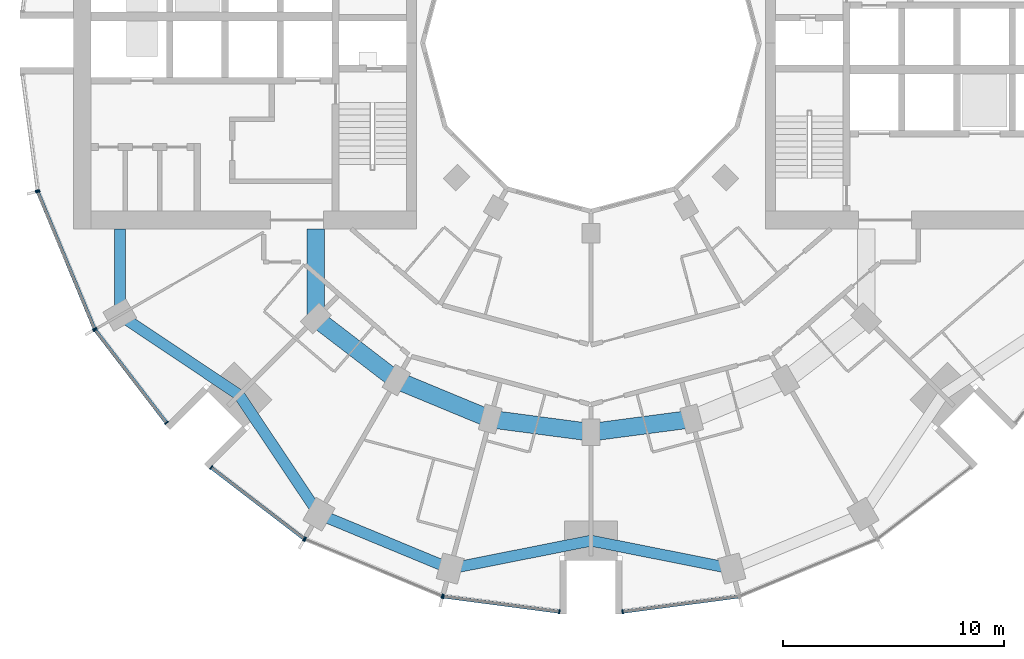
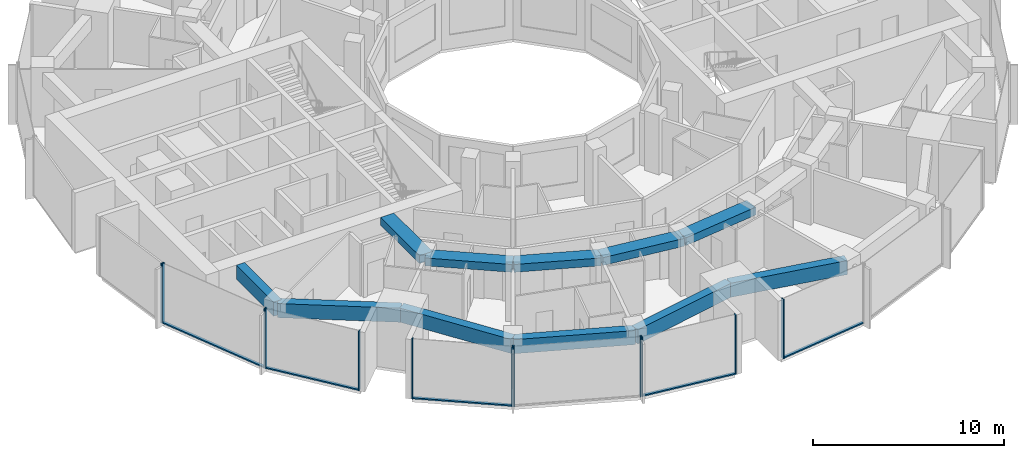
# One storey, part 2 of 15: 17 members, 11 beams, 7 elements without a shape of their own.
"""IFC4 building model written with IfcOpenShell, lengths in metres."""

from ifc_helpers import new_model, si_unit, direction, frame, origin, origin_2d, place, context, subcontext, project, spatial, rectangle, extrude, material, layer, layer_set, material_profile, profile_set, type_object, element, aggregate, save


model = new_model("IFC4")

# Units and contexts
model_context = context("Model", 3, precision=1e-05, world=origin(), true_north=direction((0.0, 1.0)))
body_context = subcontext(model_context, "Body", "Model", "MODEL_VIEW")
ifc_project = project(units=[si_unit("LENGTHUNIT", "METRE"), si_unit("AREAUNIT", "SQUARE_METRE"), si_unit("VOLUMEUNIT", "CUBIC_METRE"), si_unit("PLANEANGLEUNIT", "RADIAN"), si_unit("MASSUNIT", "GRAM", prefix="KILO")], contexts=[model_context])

# Site, building, storey
site_placement = place(None, origin())
site = spatial("IfcSite", under=ifc_project, at=site_placement, CompositionType="ELEMENT")
building_placement = place(site_placement, origin())
building = spatial("IfcBuilding", under=site, at=building_placement, Name="Torre Brocal", CompositionType="ELEMENT")
storey_placement = place(building_placement, frame((0.0, 0.0, 55.39990234375)))
storey = spatial("IfcBuildingStorey", under=building, at=storey_placement, Name="L12", CompositionType="ELEMENT", Elevation=55.39990234375)

# Curtain wall, members
ifc_material_1 = material(Name="Aluminium and glass", Category="aluminium")
ifc_layer_1 = layer(ifc_material_1, 0.199951171875)
ifc_layer_set_1 = layer_set([ifc_layer_1], Name="Aluminium and glass")
curtain_wall_type_1 = type_object("IfcCurtainWallType", Name="CW-1 CURTAIN WALL 3800 HIGH", PredefinedType="NOTDEFINED", material=ifc_layer_set_1)
curtain_wall_1_placement = place(storey_placement, origin())
curtain_wall_1 = element("IfcCurtainWall", 1, at=curtain_wall_1_placement, inside=storey, type_object=curtain_wall_type_1, Name="CW-1 RUN 14", PredefinedType="NOTDEFINED")
ifc_material_2 = material(Name="Aluminium, dark anodised", Category="aluminium")
ifc_material_profile_1 = material_profile(ifc_material_2, rectangle(XDim=0.199951171875, YDim=0.06005859375, at=origin_2d()), Name="CW-1 MULLION 60X200")
ifc_profile_set_1 = profile_set([ifc_material_profile_1], Name="Aluminium, dark anodised")
member_type_1 = type_object("IfcMemberType", Name="CW-1 MULLION 60X200", PredefinedType="MULLION", material=ifc_profile_set_1)
member_1_placement = place(storey_placement, frame((54.994873046875, 68.26904296875, 0.0), z_axis=(0.0, 0.0, 1.0), x_axis=(0.923879532525, 0.382683432333, 0.0)))
member_1 = element("IfcMember", 2, at=member_1_placement, type_object=member_type_1, Name="CW1-1 mullion 1", PredefinedType="MULLION", context=body_context, shape_type="SweptSolid", body=[
    extrude(rectangle(XDim=0.199951171875, YDim=0.06005859375, at=origin_2d()), origin(), (0.0, 0.0, 1.0), 3.800048828125),
])
member_2_placement = place(storey_placement, frame((57.559326171875, 62.078125, 0.0), z_axis=(0.0, 0.0, 1.0), x_axis=(0.923879532525, 0.382683432333, 0.0)))
member_2 = element("IfcMember", 3, at=member_2_placement, type_object=member_type_1, Name="CW1-1 mullion 2", PredefinedType="MULLION", context=body_context, shape_type="SweptSolid", body=[
    extrude(rectangle(XDim=0.199951171875, YDim=0.06005859375, at=origin_2d()), origin(), (0.0, 0.0, 1.0), 3.800048828125),
])

curtain_wall_2_placement = place(storey_placement, origin())
curtain_wall_2 = element("IfcCurtainWall", 4, at=curtain_wall_2_placement, inside=storey, type_object=curtain_wall_type_1, Name="CW-1 RUN 15", PredefinedType="NOTDEFINED")
member_3_placement = place(storey_placement, frame((57.5888671875, 62.026611328125, 0.0), z_axis=(0.0, 0.0, 1.0), x_axis=(0.793353340259, 0.60876142905, 0.0)))
member_3 = element("IfcMember", 5, at=member_3_placement, type_object=member_type_1, Name="CW1-1 mullion 1", PredefinedType="MULLION", context=body_context, shape_type="SweptSolid", body=[
    extrude(rectangle(XDim=0.199951171875, YDim=0.06005859375, at=origin_2d()), origin(), (0.0, 0.0, 1.0), 3.800048828125),
])
member_4_placement = place(storey_placement, frame((60.80859375, 57.83056640625, 0.0), z_axis=(0.0, 0.0, 1.0), x_axis=(0.793353340259, 0.60876142905, 0.0)))
member_4 = element("IfcMember", 6, at=member_4_placement, type_object=member_type_1, Name="CW1-1 mullion 2", PredefinedType="MULLION", context=body_context, shape_type="SweptSolid", body=[
    extrude(rectangle(XDim=0.199951171875, YDim=0.06005859375, at=origin_2d()), origin(), (0.0, 0.0, 1.0), 3.800048828125),
])

curtain_wall_3_placement = place(storey_placement, origin())
curtain_wall_3 = element("IfcCurtainWall", 7, at=curtain_wall_3_placement, inside=storey, type_object=curtain_wall_type_1, Name="CW-1 RUN 16", PredefinedType="NOTDEFINED")
member_5_placement = place(storey_placement, frame((62.83056640625, 55.80859375, 0.0), z_axis=(0.0, 0.0, 1.0), x_axis=(0.60876142905, 0.793353340259, 0.0)))
member_5 = element("IfcMember", 8, at=member_5_placement, type_object=member_type_1, Name="CW1-1 mullion 1", PredefinedType="MULLION", context=body_context, shape_type="SweptSolid", body=[
    extrude(rectangle(XDim=0.199951171875, YDim=0.06005859375, at=origin_2d()), origin(), (0.0, 0.0, 1.0), 3.800048828125),
])
member_6_placement = place(storey_placement, frame((67.026611328125, 52.5888671875, 0.0), z_axis=(0.0, 0.0, 1.0), x_axis=(0.60876142905, 0.793353340259, 0.0)))
member_6 = element("IfcMember", 9, at=member_6_placement, type_object=member_type_1, Name="CW1-1 mullion 2", PredefinedType="MULLION", context=body_context, shape_type="SweptSolid", body=[
    extrude(rectangle(XDim=0.199951171875, YDim=0.06005859375, at=origin_2d()), origin(), (0.0, 0.0, 1.0), 3.800048828125),
])

curtain_wall_4_placement = place(storey_placement, origin())
curtain_wall_4 = element("IfcCurtainWall", 10, at=curtain_wall_4_placement, inside=storey, type_object=curtain_wall_type_1, Name="CW-1 RUN 17", PredefinedType="NOTDEFINED")
member_7_placement = place(storey_placement, frame((67.078125, 52.559326171875, 0.0), z_axis=(0.0, 0.0, 1.0), x_axis=(0.382683432333, 0.923879532525, 0.0)))
member_7 = element("IfcMember", 11, at=member_7_placement, type_object=member_type_1, Name="CW1-1 mullion 1", PredefinedType="MULLION", context=body_context, shape_type="SweptSolid", body=[
    extrude(rectangle(XDim=0.199951171875, YDim=0.06005859375, at=origin_2d()), origin(), (0.0, 0.0, 1.0), 3.800048828125),
])
member_8_placement = place(storey_placement, frame((73.26904296875, 49.994873046875, 0.0), z_axis=(0.0, 0.0, 1.0), x_axis=(0.382683432333, 0.923879532525, 0.0)))
member_8 = element("IfcMember", 12, at=member_8_placement, type_object=member_type_1, Name="CW1-1 mullion 2", PredefinedType="MULLION", context=body_context, shape_type="SweptSolid", body=[
    extrude(rectangle(XDim=0.199951171875, YDim=0.06005859375, at=origin_2d()), origin(), (0.0, 0.0, 1.0), 3.800048828125),
])
aggregate(curtain_wall_4, [member_7, member_8])

curtain_wall_5_placement = place(storey_placement, origin())
curtain_wall_5 = element("IfcCurtainWall", 13, at=curtain_wall_5_placement, inside=storey, type_object=curtain_wall_type_1, Name="CW-1 RUN 18", PredefinedType="NOTDEFINED")
member_9_placement = place(storey_placement, frame((73.32666015625, 49.9794921875, 0.0), z_axis=(0.0, 0.0, 1.0), x_axis=(0.13052619222, 0.991444861374, 0.0)))
member_9 = element("IfcMember", 14, at=member_9_placement, type_object=member_type_1, Name="CW1-1 mullion 1", PredefinedType="MULLION", context=body_context, shape_type="SweptSolid", body=[
    extrude(rectangle(XDim=0.199951171875, YDim=0.06005859375, at=origin_2d()), origin(), (0.0, 0.0, 1.0), 3.800048828125),
])
member_10_placement = place(storey_placement, frame((78.5703125, 49.2890625, 0.0), z_axis=(0.0, 0.0, 1.0), x_axis=(0.13052619222, 0.991444861374, 0.0)))
member_10 = element("IfcMember", 15, at=member_10_placement, type_object=member_type_1, Name="CW1-1 mullion 2", PredefinedType="MULLION", context=body_context, shape_type="SweptSolid", body=[
    extrude(rectangle(XDim=0.199951171875, YDim=0.06005859375, at=origin_2d()), origin(), (0.0, 0.0, 1.0), 3.800048828125),
])

# Curtain wall, member
curtain_wall_6_placement = place(storey_placement, origin())
curtain_wall_6 = element("IfcCurtainWall", 16, at=curtain_wall_6_placement, inside=storey, type_object=curtain_wall_type_1, Name="CW-1 RUN 19", PredefinedType="NOTDEFINED")
member_11_placement = place(storey_placement, frame((81.4296875, 49.2890625, 0.0), z_axis=(0.0, 0.0, 1.0), x_axis=(-0.13052619222, 0.991444861374, 0.0)))
member_11 = element("IfcMember", 17, at=member_11_placement, type_object=member_type_1, Name="CW1-1 mullion 1", PredefinedType="MULLION", context=body_context, shape_type="SweptSolid", body=[
    extrude(rectangle(XDim=0.199951171875, YDim=0.06005859375, at=origin_2d()), origin(), (0.0, 0.0, 1.0), 3.800048828125),
])

# Member
ifc_material_3 = material(Name="Aluminium, dark anodised", Category="aluminium")
ifc_material_profile_2 = material_profile(ifc_material_3, rectangle(XDim=0.159912109375, YDim=0.080078125, at=origin_2d()), Name="CW-1 TRANSOM 160X80")
ifc_profile_set_2 = profile_set([ifc_material_profile_2], Name="Aluminium, dark anodised")
member_type_2 = type_object("IfcMemberType", Name="CW-1 TRANSOM 160X80", PredefinedType="USERDEFINED", material=ifc_profile_set_2)
member_12_placement = place(storey_placement, frame((55.00634765625, 68.241455078125, 0.0400390625), z_axis=(0.38266457234, -0.923887344364, 0.0), x_axis=(0.923887344364, 0.38266457234, 0.0)))
member_12 = element("IfcMember", 18, at=member_12_placement, type_object=member_type_2, Name="CW1-1 transom 1.1", ObjectType="TRANSOM", PredefinedType="USERDEFINED", context=body_context, shape_type="SweptSolid", body=[
    extrude(rectangle(XDim=0.159912109375, YDim=0.080078125, at=origin_2d()), origin(), (0.0, 0.0, 1.0), 6.640869140625),
])

aggregate(curtain_wall_1, [member_1, member_2, member_12])

member_13_placement = place(storey_placement, frame((57.607177734375, 62.0029296875, 0.0400390625), z_axis=(0.60874908096, -0.79336281513, 0.0), x_axis=(0.79336281513, 0.60874908096, 0.0)))
member_13 = element("IfcMember", 19, at=member_13_placement, type_object=member_type_2, Name="CW1-1 transom 1.1", ObjectType="TRANSOM", PredefinedType="USERDEFINED", context=body_context, shape_type="SweptSolid", body=[
    extrude(rectangle(XDim=0.159912109375, YDim=0.080078125, at=origin_2d()), origin(), (0.0, 0.0, 1.0), 5.22900390625),
])

aggregate(curtain_wall_2, [member_3, member_4, member_13])

member_14_placement = place(storey_placement, frame((62.8544921875, 55.790283203125, 0.0400390625), z_axis=(0.79336281513, -0.60874908096, 0.0), x_axis=(0.60874908096, 0.79336281513, 0.0)))
member_14 = element("IfcMember", 20, at=member_14_placement, type_object=member_type_2, Name="CW1-1 transom 1.1", ObjectType="TRANSOM", PredefinedType="USERDEFINED", context=body_context, shape_type="SweptSolid", body=[
    extrude(rectangle(XDim=0.159912109375, YDim=0.080078125, at=origin_2d()), origin(), (0.0, 0.0, 1.0), 5.22900390625),
])

aggregate(curtain_wall_3, [member_5, member_6, member_14])

member_15_placement = place(storey_placement, frame((73.356201171875, 49.9755859375, 0.0400390625), z_axis=(0.991442690863, -0.130542677827, 0.0), x_axis=(0.130542677827, 0.991442690863, 0.0)))
member_15 = element("IfcMember", 21, at=member_15_placement, type_object=member_type_2, Name="CW1-1 transom 1.1", ObjectType="TRANSOM", PredefinedType="USERDEFINED", context=body_context, shape_type="SweptSolid", body=[
    extrude(rectangle(XDim=0.159912109375, YDim=0.080078125, at=origin_2d()), origin(), (0.0, 0.0, 1.0), 5.22900390625),
])

aggregate(curtain_wall_5, [member_9, member_10, member_15])

member_16_placement = place(storey_placement, frame((81.45947265625, 49.29296875, 0.0400390625), z_axis=(0.991442690863, 0.130542677827, 0.0), x_axis=(-0.130542677827, 0.991442690863, 0.0)))
member_16 = element("IfcMember", 22, at=member_16_placement, type_object=member_type_2, Name="CW1-1 transom 1.1", ObjectType="TRANSOM", PredefinedType="USERDEFINED", context=body_context, shape_type="SweptSolid", body=[
    extrude(rectangle(XDim=0.159912109375, YDim=0.080078125, at=origin_2d()), origin(), (0.0, 0.0, 1.0), 5.22900390625),
])

aggregate(curtain_wall_6, [member_11, member_16])

# Curtain wall, member
ifc_material_4 = material(Name="Aluminium and glass", Category="aluminium")
ifc_layer_2 = layer(ifc_material_4, 0.199951171875)
ifc_layer_set_2 = layer_set([ifc_layer_2], Name="Aluminium and glass")
curtain_wall_type_2 = type_object("IfcCurtainWallType", Name="CW-1B CURTAIN WALL 3800 HIGH", PredefinedType="NOTDEFINED", material=ifc_layer_set_2)
curtain_wall_7_placement = place(storey_placement, origin())
curtain_wall_7 = element("IfcCurtainWall", 23, at=curtain_wall_7_placement, inside=storey, type_object=curtain_wall_type_2, Name="CW-1B RUN 13", PredefinedType="NOTDEFINED")
ifc_material_5 = material(Name="Aluminium, dark anodised", Category="aluminium")
ifc_material_profile_3 = material_profile(ifc_material_5, rectangle(XDim=0.199951171875, YDim=0.06005859375, at=origin_2d()), Name="CW-1B MULLION 60X200")
ifc_profile_set_3 = profile_set([ifc_material_profile_3], Name="Aluminium, dark anodised")
member_type_3 = type_object("IfcMemberType", Name="CW-1B MULLION 60X200", PredefinedType="MULLION", material=ifc_profile_set_3)
member_17_placement = place(storey_placement, frame((54.9794921875, 68.32666015625, 0.0), z_axis=(0.0, 0.0, 1.0), x_axis=(0.991444861374, 0.13052619222, 0.0)))
member_17 = element("IfcMember", 24, at=member_17_placement, type_object=member_type_3, Name="CW1B-1 mullion 2", PredefinedType="MULLION", context=body_context, shape_type="SweptSolid", body=[
    extrude(rectangle(XDim=0.199951171875, YDim=0.06005859375, at=origin_2d()), origin(), (0.0, 0.0, 1.0), 3.800048828125),
])
aggregate(curtain_wall_7, [member_17])

# Beams
ifc_material_6 = material(Name="Concrete C50", Category="concrete")
ifc_material_profile_4 = material_profile(ifc_material_6, rectangle(XDim=0.800048828125, YDim=0.5, at=origin_2d()), Name="RC 800X500")
ifc_profile_set_4 = profile_set([ifc_material_profile_4], Name="Concrete C50")
beam_type_1 = type_object("IfcBeamType", Name="RC BEAM 800X500 C50 TOP 3480", PredefinedType="BEAM", material=ifc_profile_set_4)
beam_1_placement = place(storey_placement, frame((67.554931640625, 62.554931640625, 3.22998046875), z_axis=(0.0, 1.0, 0.0), x_axis=(-1.0, 0.0, 0.0)))
element("IfcBeam", 25, at=beam_1_placement, inside=storey, type_object=beam_type_1, Name="Beam BT-19", PredefinedType="BEAM", context=body_context, shape_type="SweptSolid", body=[
    extrude(rectangle(XDim=0.800048828125, YDim=0.5, at=origin_2d()), origin(), (0.0, 0.0, 1.0), 4.045166015625),
])
beam_2_placement = place(storey_placement, frame((67.554931640625, 62.554931640625, 3.22998046875), z_axis=(0.793358265959, -0.6087550097, 0.0), x_axis=(0.6087550097, 0.793358265959, 0.0)))
element("IfcBeam", 26, at=beam_2_placement, inside=storey, type_object=beam_type_1, Name="Beam BT-19", PredefinedType="BEAM", context=body_context, shape_type="SweptSolid", body=[
    extrude(rectangle(XDim=0.800048828125, YDim=0.5, at=origin_2d()), origin(), (0.0, 0.0, 1.0), 4.594482421875),
])
beam_3_placement = place(storey_placement, frame((71.199951171875, 59.758056640625, 3.22998046875), z_axis=(0.923878240166, -0.382686552348, 0.0), x_axis=(0.382686552348, 0.923878240166, 0.0)))
element("IfcBeam", 27, at=beam_3_placement, inside=storey, type_object=beam_type_1, Name="Beam BT-19", PredefinedType="BEAM", context=body_context, shape_type="SweptSolid", body=[
    extrude(rectangle(XDim=0.800048828125, YDim=0.5, at=origin_2d()), origin(), (0.0, 0.0, 1.0), 4.5947265625),
])
for number, where, z_axis, x_axis, name in (
    (28, (75.44482421875, 57.999755859375, 3.22998046875), (0.991440544449, -0.130558978332, 0.0), (0.130558978332, 0.991440544449, 0.0), "Beam BT-19"),
    (29, (80.0, 57.39990234375, 3.22998046875), (0.991440544449, 0.130558978332, 0.0), (-0.130558978332, 0.991440544449, 0.0), "Beam BT-19"),
):
    element("IfcBeam", number, at=place(storey_placement, frame(where, z_axis=z_axis, x_axis=x_axis)), inside=storey, type_object=beam_type_1, Name=name, PredefinedType="BEAM", context=body_context, shape_type="SweptSolid", body=[
        extrude(rectangle(XDim=0.800048828125, YDim=0.5, at=origin_2d()), origin(), (0.0, 0.0, 1.0), 4.594482421875),
    ])
ifc_material_7 = material(Name="Concrete C50", Category="concrete")
ifc_material_profile_5 = material_profile(ifc_material_7, rectangle(XDim=0.5, YDim=0.89990234375, at=origin_2d()), Name="RC 500X900")
ifc_profile_set_5 = profile_set([ifc_material_profile_5], Name="Concrete C50")
beam_type_2 = type_object("IfcBeamType", Name="RC SPANDREL BEAM 500X900 C50 TOP 3480", PredefinedType="SPANDREL", material=ifc_profile_set_5)
beam_4_placement = place(storey_placement, frame((58.69580078125, 62.699951171875, 3.030029296875), z_axis=(0.0, 1.0, 0.0), x_axis=(-1.0, 0.0, 0.0)))
element("IfcBeam", 30, at=beam_4_placement, inside=storey, type_object=beam_type_2, Name="Beam BT-20", PredefinedType="SPANDREL", context=body_context, shape_type="SweptSolid", body=[
    extrude(rectangle(XDim=0.5, YDim=0.89990234375, at=origin_2d()), origin(), (0.0, 0.0, 1.0), 3.900146484375),
])
for number, where, z_axis, x_axis, name in (
    (31, (58.69580078125, 62.699951171875, 3.030029296875), (0.831076844476, -0.556157602282, 0.0), (0.556157602282, 0.831076844476, 0.0), "Beam BT-20"),
    (32, (64.090087890625, 59.090087890625, 3.030029296875), (0.556157602282, -0.831076844476, 0.0), (0.831076844476, 0.556157602282, 0.0), "Beam BT-20"),
):
    element("IfcBeam", number, at=place(storey_placement, frame(where, z_axis=z_axis, x_axis=x_axis)), inside=storey, type_object=beam_type_2, Name=name, PredefinedType="SPANDREL", context=body_context, shape_type="SweptSolid", body=[
        extrude(rectangle(XDim=0.5, YDim=0.89990234375, at=origin_2d()), origin(), (0.0, 0.0, 1.0), 6.49072265625),
    ])
beam_5_placement = place(storey_placement, frame((67.699951171875, 53.69580078125, 3.030029296875), z_axis=(0.923882462513, -0.382676358639, 0.0), x_axis=(0.382676358639, 0.923882462513, 0.0)))
element("IfcBeam", 33, at=beam_5_placement, inside=storey, type_object=beam_type_2, Name="Beam BT-20", PredefinedType="SPANDREL", context=body_context, shape_type="SweptSolid", body=[
    extrude(rectangle(XDim=0.5, YDim=0.89990234375, at=origin_2d()), origin(), (0.0, 0.0, 1.0), 6.421875),
])
for number, where, z_axis, x_axis, name in (
    (34, (73.633056640625, 51.23828125, 3.030029296875), (0.980924907484, 0.194387051723, 0.0), (-0.194387051723, 0.980924907484, 0.0), "Beam BT-20"),
    (35, (80.0, 52.5, 3.030029296875), (0.980924907484, -0.194387051723, 0.0), (0.194387051723, 0.980924907484, 0.0), "Beam BT-20"),
):
    element("IfcBeam", number, at=place(storey_placement, frame(where, z_axis=z_axis, x_axis=x_axis)), inside=storey, type_object=beam_type_2, Name=name, PredefinedType="SPANDREL", context=body_context, shape_type="SweptSolid", body=[
        extrude(rectangle(XDim=0.5, YDim=0.89990234375, at=origin_2d()), origin(), (0.0, 0.0, 1.0), 6.49072265625),
    ])

save(model, "model.ifc")
